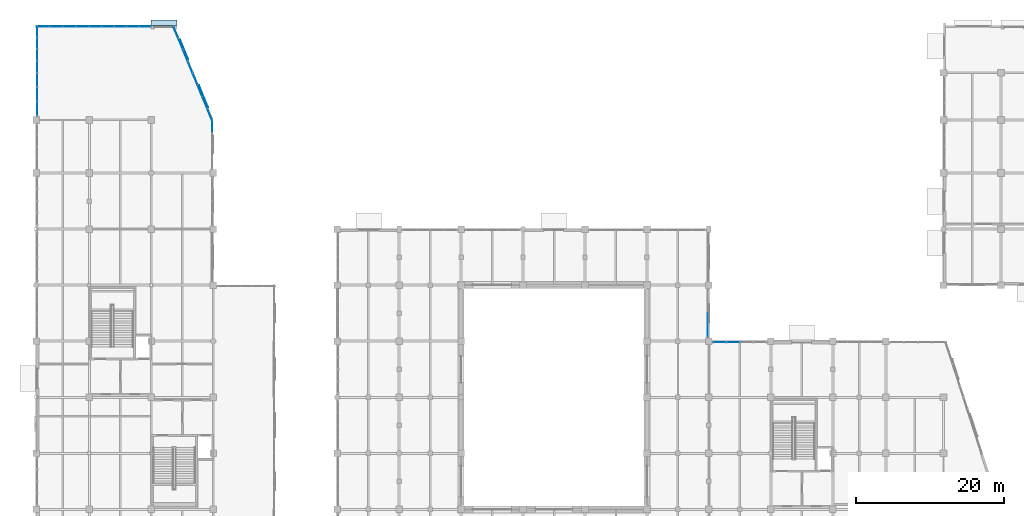
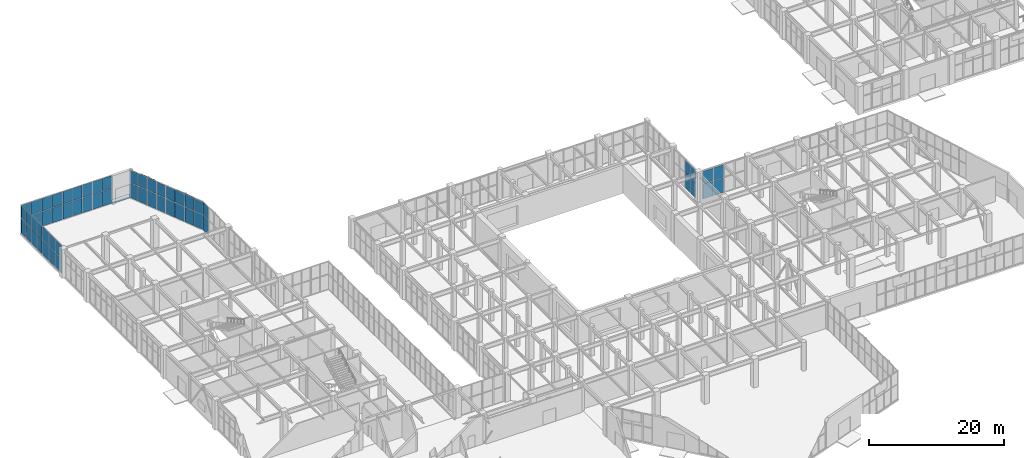
# One storey, part 108 of 139: 60 plates, 1 slab, 9 elements without a shape of their own.
"""IFC4 building model written with IfcOpenShell, lengths in metres."""

from ifc_helpers import new_model, si_unit, direction, frame, origin, origin_2d, place, context, subcontext, project, spatial, polyline, rectangle, outline, extrude, material, layer, layer_set, type_object, element, aggregate, save


model = new_model("IFC4")

# Units and contexts
model_context = context("Model", 3, precision=1e-05, world=origin(), true_north=direction((0.0, 1.0)))
body_context = subcontext(model_context, "Body", "Model", "MODEL_VIEW")
ifc_project = project(units=[si_unit("LENGTHUNIT", "METRE"), si_unit("AREAUNIT", "SQUARE_METRE"), si_unit("VOLUMEUNIT", "CUBIC_METRE"), si_unit("PLANEANGLEUNIT", "RADIAN"), si_unit("MASSUNIT", "GRAM", prefix="KILO")], contexts=[model_context])

# Site, building, storey
site_placement = place(None, origin())
site = spatial("IfcSite", under=ifc_project, at=site_placement, CompositionType="ELEMENT")
building_placement = place(site_placement, origin())
building = spatial("IfcBuilding", under=site, at=building_placement, Name="Xicomal Pleat Aquarium", CompositionType="ELEMENT")
storey_placement = place(building_placement, origin())
storey = spatial("IfcBuildingStorey", under=building, at=storey_placement, Name="L01", CompositionType="ELEMENT", Elevation=0.0)

# Curtain wall, plates
ifc_material_1 = material(Name="Bronze anodized aluminium 6063-T6", Category="aluminium")
ifc_layer_1 = layer(ifc_material_1, 0.159912109375)
ifc_layer_set_1 = layer_set([ifc_layer_1], Name="Bronze anodized aluminium 6063-T6")
curtain_wall_type_1 = type_object("IfcCurtainWallType", Name="CW-SYS-06", PredefinedType="NOTDEFINED", material=ifc_layer_set_1)
curtain_wall_1_placement = place(storey_placement, origin())
curtain_wall_1 = element("IfcCurtainWall", 1, at=curtain_wall_1_placement, inside=storey, type_object=curtain_wall_type_1, Name="L01 unitised curtain wall CW-L01-016", PredefinedType="NOTDEFINED")
ifc_material_2 = material(Name="Insulated low-E laminated glass", Category="glass")
ifc_layer_2 = layer(ifc_material_2, 0.028076171875)
ifc_layer_set_2 = layer_set([ifc_layer_2], Name="Insulated low-E laminated glass")
plate_type_1 = type_object("IfcPlateType", Name="CWP-GLZ-28", PredefinedType="CURTAIN_PANEL", material=ifc_layer_set_2)
plate_1_placement = place(storey_placement, frame((11.05859375, 111.06005859375, 0.0751953125), z_axis=(0.0, 0.0, 1.0), x_axis=(1.0, 0.0, 0.0)))
plate_1 = element("IfcPlate", 2, at=plate_1_placement, type_object=plate_type_1, Name="CW-06 panel 1.1", PredefinedType="CURTAIN_PANEL", context=body_context, shape_type="SweptSolid", body=[
    extrude(rectangle(XDim=1.5673828125, YDim=0.028076171875, at=origin_2d()), origin(), (0.0, 0.0, 1.0), 2.673583984375),
])
plate_2_placement = place(storey_placement, frame((11.05859375, 111.06005859375, 2.82373046875), z_axis=(0.0, 0.0, 1.0), x_axis=(1.0, 0.0, 0.0)))
plate_2 = element("IfcPlate", 3, at=plate_2_placement, type_object=plate_type_1, Name="CW-06 panel 1.2", PredefinedType="CURTAIN_PANEL", context=body_context, shape_type="SweptSolid", body=[
    extrude(rectangle(XDim=1.5673828125, YDim=0.028076171875, at=origin_2d()), origin(), (0.0, 0.0, 1.0), 2.261474609375),
])
plate_3_placement = place(storey_placement, frame((12.719970703125, 111.06005859375, 0.0751953125), z_axis=(0.0, 0.0, 1.0), x_axis=(1.0, 0.0, 0.0)))
plate_3 = element("IfcPlate", 4, at=plate_3_placement, type_object=plate_type_1, Name="CW-06 panel 2.1", PredefinedType="CURTAIN_PANEL", context=body_context, shape_type="SweptSolid", body=[
    extrude(rectangle(XDim=1.60498046875, YDim=0.028076171875, at=origin_2d()), origin(), (0.0, 0.0, 1.0), 2.673583984375),
])
plate_4_placement = place(storey_placement, frame((12.719970703125, 111.06005859375, 2.82373046875), z_axis=(0.0, 0.0, 1.0), x_axis=(1.0, 0.0, 0.0)))
plate_4 = element("IfcPlate", 5, at=plate_4_placement, type_object=plate_type_1, Name="CW-06 panel 2.2", PredefinedType="CURTAIN_PANEL", context=body_context, shape_type="SweptSolid", body=[
    extrude(rectangle(XDim=1.60498046875, YDim=0.028076171875, at=origin_2d()), origin(), (0.0, 0.0, 1.0), 2.261474609375),
])
plate_5_placement = place(storey_placement, frame((14.39990234375, 111.06005859375, 0.0751953125), z_axis=(0.0, 0.0, 1.0), x_axis=(1.0, 0.0, 0.0)))
plate_5 = element("IfcPlate", 6, at=plate_5_placement, type_object=plate_type_1, Name="CW-06 panel 3.1", PredefinedType="CURTAIN_PANEL", context=body_context, shape_type="SweptSolid", body=[
    extrude(rectangle(XDim=1.60498046875, YDim=0.028076171875, at=origin_2d()), origin(), (0.0, 0.0, 1.0), 2.673583984375),
])
plate_6_placement = place(storey_placement, frame((14.39990234375, 111.06005859375, 2.82373046875), z_axis=(0.0, 0.0, 1.0), x_axis=(1.0, 0.0, 0.0)))
plate_6 = element("IfcPlate", 7, at=plate_6_placement, type_object=plate_type_1, Name="CW-06 panel 3.2", PredefinedType="CURTAIN_PANEL", context=body_context, shape_type="SweptSolid", body=[
    extrude(rectangle(XDim=1.60498046875, YDim=0.028076171875, at=origin_2d()), origin(), (0.0, 0.0, 1.0), 2.261474609375),
])
plate_7_placement = place(storey_placement, frame((16.080078125, 111.06005859375, 0.0751953125), z_axis=(0.0, 0.0, 1.0), x_axis=(1.0, 0.0, 0.0)))
plate_7 = element("IfcPlate", 8, at=plate_7_placement, type_object=plate_type_1, Name="CW-06 panel 4.1", PredefinedType="CURTAIN_PANEL", context=body_context, shape_type="SweptSolid", body=[
    extrude(rectangle(XDim=1.60498046875, YDim=0.028076171875, at=origin_2d()), origin(), (0.0, 0.0, 1.0), 2.673583984375),
])
plate_8_placement = place(storey_placement, frame((16.080078125, 111.06005859375, 2.82373046875), z_axis=(0.0, 0.0, 1.0), x_axis=(1.0, 0.0, 0.0)))
plate_8 = element("IfcPlate", 9, at=plate_8_placement, type_object=plate_type_1, Name="CW-06 panel 4.2", PredefinedType="CURTAIN_PANEL", context=body_context, shape_type="SweptSolid", body=[
    extrude(rectangle(XDim=1.60498046875, YDim=0.028076171875, at=origin_2d()), origin(), (0.0, 0.0, 1.0), 2.261474609375),
])
plate_9_placement = place(storey_placement, frame((17.7412109375, 111.06005859375, 0.0751953125), z_axis=(0.0, 0.0, 1.0), x_axis=(1.0, 0.0, 0.0)))
plate_9 = element("IfcPlate", 10, at=plate_9_placement, type_object=plate_type_1, Name="CW-06 panel 5.1", PredefinedType="CURTAIN_PANEL", context=body_context, shape_type="SweptSolid", body=[
    extrude(rectangle(XDim=1.5673828125, YDim=0.028076171875, at=origin_2d()), origin(), (0.0, 0.0, 1.0), 2.673583984375),
])
plate_10_placement = place(storey_placement, frame((17.7412109375, 111.06005859375, 2.82373046875), z_axis=(0.0, 0.0, 1.0), x_axis=(1.0, 0.0, 0.0)))
plate_10 = element("IfcPlate", 11, at=plate_10_placement, type_object=plate_type_1, Name="CW-06 panel 5.2", PredefinedType="CURTAIN_PANEL", context=body_context, shape_type="SweptSolid", body=[
    extrude(rectangle(XDim=1.5673828125, YDim=0.028076171875, at=origin_2d()), origin(), (0.0, 0.0, 1.0), 2.261474609375),
])
aggregate(curtain_wall_1, [plate_1, plate_2, plate_3, plate_4, plate_5, plate_6, plate_7, plate_8, plate_9, plate_10])

curtain_wall_2_placement = place(storey_placement, origin())
curtain_wall_2 = element("IfcCurtainWall", 12, at=curtain_wall_2_placement, inside=storey, type_object=curtain_wall_type_1, Name="L01 unitised curtain wall CW-L01-040", PredefinedType="NOTDEFINED")
plate_11_placement = place(storey_placement, frame((94.06005859375, 71.3798828125, 0.074951171875), z_axis=(0.0, 0.0, 1.0), x_axis=(0.0, -1.0, 0.0)))
plate_11 = element("IfcPlate", 13, at=plate_11_placement, type_object=plate_type_1, Name="CW-06 panel 3.1", PredefinedType="CURTAIN_PANEL", context=body_context, shape_type="SweptSolid", body=[
    extrude(rectangle(XDim=1.56494140625, YDim=0.028076171875, at=origin_2d()), origin(), (0.0, 0.0, 1.0), 2.6416015625),
])
plate_12_placement = place(storey_placement, frame((94.06005859375, 71.3798828125, 2.79150390625), z_axis=(0.0, 0.0, 1.0), x_axis=(0.0, -1.0, 0.0)))
plate_12 = element("IfcPlate", 14, at=plate_12_placement, type_object=plate_type_1, Name="CW-06 panel 3.2", PredefinedType="CURTAIN_PANEL", context=body_context, shape_type="SweptSolid", body=[
    extrude(rectangle(XDim=1.56494140625, YDim=0.028076171875, at=origin_2d()), origin(), (0.0, 0.0, 1.0), 2.2333984375),
])
plate_13_placement = place(storey_placement, frame((94.06005859375, 69.7587890625, 0.074951171875), z_axis=(0.0, 0.0, 1.0), x_axis=(0.0, -1.0, 0.0)))
plate_13 = element("IfcPlate", 15, at=plate_13_placement, type_object=plate_type_1, Name="CW-06 panel 4.1", PredefinedType="CURTAIN_PANEL", context=body_context, shape_type="SweptSolid", body=[
    extrude(rectangle(XDim=1.527587890625, YDim=0.028076171875, at=origin_2d()), origin(), (0.0, 0.0, 1.0), 2.6416015625),
])
plate_14_placement = place(storey_placement, frame((94.06005859375, 69.7587890625, 2.79150390625), z_axis=(0.0, 0.0, 1.0), x_axis=(0.0, -1.0, 0.0)))
plate_14 = element("IfcPlate", 16, at=plate_14_placement, type_object=plate_type_1, Name="CW-06 panel 4.2", PredefinedType="CURTAIN_PANEL", context=body_context, shape_type="SweptSolid", body=[
    extrude(rectangle(XDim=1.527587890625, YDim=0.028076171875, at=origin_2d()), origin(), (0.0, 0.0, 1.0), 2.2333984375),
])
aggregate(curtain_wall_2, [plate_11, plate_12, plate_13, plate_14])

curtain_wall_3_placement = place(storey_placement, origin())
curtain_wall_3 = element("IfcCurtainWall", 17, at=curtain_wall_3_placement, inside=storey, type_object=curtain_wall_type_1, Name="L01 unitised curtain wall CW-L01-013", PredefinedType="NOTDEFINED")
ifc_material_3 = material(Name="Insulated low-E laminated glass", Category="glass")
ifc_layer_3 = layer(ifc_material_3, 0.031982421875)
ifc_layer_set_3 = layer_set([ifc_layer_3], Name="Insulated low-E laminated glass")
plate_type_2 = type_object("IfcPlateType", Name="CWP-GLZ-32", PredefinedType="CURTAIN_PANEL", material=ifc_layer_set_3)
plate_15_placement = place(storey_placement, frame((3.139892578125, 99.918701171875, 0.0751953125), z_axis=(0.0, 0.0, 1.0), x_axis=(0.0, 1.0, 0.0)))
plate_15 = element("IfcPlate", 18, at=plate_15_placement, type_object=plate_type_2, Name="CW-06 panel 1.1", PredefinedType="CURTAIN_PANEL", context=body_context, shape_type="SweptSolid", body=[
    extrude(rectangle(XDim=1.847412109375, YDim=0.031982421875, at=origin_2d()), origin(), (0.0, 0.0, 1.0), 2.673583984375),
])
plate_16_placement = place(storey_placement, frame((3.139892578125, 99.918701171875, 2.82373046875), z_axis=(0.0, 0.0, 1.0), x_axis=(0.0, 1.0, 0.0)))
plate_16 = element("IfcPlate", 19, at=plate_16_placement, type_object=plate_type_2, Name="CW-06 panel 1.2", PredefinedType="CURTAIN_PANEL", context=body_context, shape_type="SweptSolid", body=[
    extrude(rectangle(XDim=1.847412109375, YDim=0.031982421875, at=origin_2d()), origin(), (0.0, 0.0, 1.0), 2.261474609375),
])
plate_17_placement = place(storey_placement, frame((3.139892578125, 101.860107421875, 0.0751953125), z_axis=(0.0, 0.0, 1.0), x_axis=(0.0, 1.0, 0.0)))
plate_17 = element("IfcPlate", 20, at=plate_17_placement, type_object=plate_type_2, Name="CW-06 panel 2.1", PredefinedType="CURTAIN_PANEL", context=body_context, shape_type="SweptSolid", body=[
    extrude(rectangle(XDim=1.885009765625, YDim=0.031982421875, at=origin_2d()), origin(), (0.0, 0.0, 1.0), 2.673583984375),
])
plate_18_placement = place(storey_placement, frame((3.139892578125, 101.860107421875, 2.82373046875), z_axis=(0.0, 0.0, 1.0), x_axis=(0.0, 1.0, 0.0)))
plate_18 = element("IfcPlate", 21, at=plate_18_placement, type_object=plate_type_2, Name="CW-06 panel 2.2", PredefinedType="CURTAIN_PANEL", context=body_context, shape_type="SweptSolid", body=[
    extrude(rectangle(XDim=1.885009765625, YDim=0.031982421875, at=origin_2d()), origin(), (0.0, 0.0, 1.0), 2.261474609375),
])
plate_19_placement = place(storey_placement, frame((3.139892578125, 103.80126953125, 0.0751953125), z_axis=(0.0, 0.0, 1.0), x_axis=(0.0, 1.0, 0.0)))
plate_19 = element("IfcPlate", 22, at=plate_19_placement, type_object=plate_type_2, Name="CW-06 panel 3.1", PredefinedType="CURTAIN_PANEL", context=body_context, shape_type="SweptSolid", body=[
    extrude(rectangle(XDim=1.847412109375, YDim=0.031982421875, at=origin_2d()), origin(), (0.0, 0.0, 1.0), 2.673583984375),
])
plate_20_placement = place(storey_placement, frame((3.139892578125, 103.80126953125, 2.82373046875), z_axis=(0.0, 0.0, 1.0), x_axis=(0.0, 1.0, 0.0)))
plate_20 = element("IfcPlate", 23, at=plate_20_placement, type_object=plate_type_2, Name="CW-06 panel 3.2", PredefinedType="CURTAIN_PANEL", context=body_context, shape_type="SweptSolid", body=[
    extrude(rectangle(XDim=1.847412109375, YDim=0.031982421875, at=origin_2d()), origin(), (0.0, 0.0, 1.0), 2.261474609375),
])
aggregate(curtain_wall_3, [plate_15, plate_16, plate_17, plate_18, plate_19, plate_20])

ifc_material_4 = material(Name="Bronze anodized aluminium 6063-T6", Category="aluminium")
ifc_layer_4 = layer(ifc_material_4, 0.159912109375)
ifc_layer_set_4 = layer_set([ifc_layer_4], Name="Bronze anodized aluminium 6063-T6")
curtain_wall_type_2 = type_object("IfcCurtainWallType", Name="CW-SYS-11", PredefinedType="NOTDEFINED", material=ifc_layer_set_4)
curtain_wall_4_placement = place(storey_placement, origin())
curtain_wall_4 = element("IfcCurtainWall", 24, at=curtain_wall_4_placement, inside=storey, type_object=curtain_wall_type_2, Name="L01 unitised curtain wall CW-L01-017", PredefinedType="NOTDEFINED")
plate_21_placement = place(storey_placement, frame((21.910400390625, 110.326416015625, 0.0849609375), z_axis=(0.0, 0.0, 1.0), x_axis=(0.382564297978, -0.923928870591, 0.0)))
plate_21 = element("IfcPlate", 25, at=plate_21_placement, type_object=plate_type_2, Name="CW-11 panel 1.1", PredefinedType="CURTAIN_PANEL", context=body_context, shape_type="SweptSolid", body=[
    extrude(rectangle(XDim=1.604248046875, YDim=0.031982421875, at=origin_2d()), origin(), (0.0, 0.0, 1.0), 2.658447265625),
])
plate_22_placement = place(storey_placement, frame((21.910400390625, 110.326416015625, 2.828369140625), z_axis=(0.0, 0.0, 1.0), x_axis=(0.382564297978, -0.923928870591, 0.0)))
plate_22 = element("IfcPlate", 26, at=plate_22_placement, type_object=plate_type_2, Name="CW-11 panel 1.2", PredefinedType="CURTAIN_PANEL", context=body_context, shape_type="SweptSolid", body=[
    extrude(rectangle(XDim=1.604248046875, YDim=0.031982421875, at=origin_2d()), origin(), (0.0, 0.0, 1.0), 2.24658203125),
])
plate_23_placement = place(storey_placement, frame((22.564697265625, 108.74609375, 0.0849609375), z_axis=(0.0, 0.0, 1.0), x_axis=(0.382564297978, -0.923928870591, 0.0)))
plate_23 = element("IfcPlate", 27, at=plate_23_placement, type_object=plate_type_2, Name="CW-11 panel 2.1", PredefinedType="CURTAIN_PANEL", context=body_context, shape_type="SweptSolid", body=[
    extrude(rectangle(XDim=1.646728515625, YDim=0.031982421875, at=origin_2d()), origin(), (0.0, 0.0, 1.0), 2.658447265625),
])
plate_24_placement = place(storey_placement, frame((22.564697265625, 108.74609375, 2.828369140625), z_axis=(0.0, 0.0, 1.0), x_axis=(0.382564297978, -0.923928870591, 0.0)))
plate_24 = element("IfcPlate", 28, at=plate_24_placement, type_object=plate_type_2, Name="CW-11 panel 2.2", PredefinedType="CURTAIN_PANEL", context=body_context, shape_type="SweptSolid", body=[
    extrude(rectangle(XDim=1.646728515625, YDim=0.031982421875, at=origin_2d()), origin(), (0.0, 0.0, 1.0), 2.24658203125),
])
plate_25_placement = place(storey_placement, frame((23.227294921875, 107.14599609375, 0.0849609375), z_axis=(0.0, 0.0, 1.0), x_axis=(0.382564297978, -0.923928870591, 0.0)))
plate_25 = element("IfcPlate", 29, at=plate_25_placement, type_object=plate_type_2, Name="CW-11 panel 3.1", PredefinedType="CURTAIN_PANEL", context=body_context, shape_type="SweptSolid", body=[
    extrude(rectangle(XDim=1.646728515625, YDim=0.031982421875, at=origin_2d()), origin(), (0.0, 0.0, 1.0), 2.658447265625),
])
plate_26_placement = place(storey_placement, frame((23.227294921875, 107.14599609375, 2.828369140625), z_axis=(0.0, 0.0, 1.0), x_axis=(0.382564297978, -0.923928870591, 0.0)))
plate_26 = element("IfcPlate", 30, at=plate_26_placement, type_object=plate_type_2, Name="CW-11 panel 3.2", PredefinedType="CURTAIN_PANEL", context=body_context, shape_type="SweptSolid", body=[
    extrude(rectangle(XDim=1.646728515625, YDim=0.031982421875, at=origin_2d()), origin(), (0.0, 0.0, 1.0), 2.24658203125),
])
plate_27_placement = place(storey_placement, frame((23.881591796875, 105.565673828125, 0.0849609375), z_axis=(0.0, 0.0, 1.0), x_axis=(0.382564297978, -0.923928870591, 0.0)))
plate_27 = element("IfcPlate", 31, at=plate_27_placement, type_object=plate_type_2, Name="CW-11 panel 4.1", PredefinedType="CURTAIN_PANEL", context=body_context, shape_type="SweptSolid", body=[
    extrude(rectangle(XDim=1.604248046875, YDim=0.031982421875, at=origin_2d()), origin(), (0.0, 0.0, 1.0), 2.658447265625),
])
plate_28_placement = place(storey_placement, frame((23.881591796875, 105.565673828125, 2.828369140625), z_axis=(0.0, 0.0, 1.0), x_axis=(0.382564297978, -0.923928870591, 0.0)))
plate_28 = element("IfcPlate", 32, at=plate_28_placement, type_object=plate_type_2, Name="CW-11 panel 4.2", PredefinedType="CURTAIN_PANEL", context=body_context, shape_type="SweptSolid", body=[
    extrude(rectangle(XDim=1.604248046875, YDim=0.031982421875, at=origin_2d()), origin(), (0.0, 0.0, 1.0), 2.24658203125),
])
aggregate(curtain_wall_4, [plate_21, plate_22, plate_23, plate_24, plate_25, plate_26, plate_27, plate_28])

curtain_wall_5_placement = place(storey_placement, origin())
curtain_wall_5 = element("IfcCurtainWall", 33, at=curtain_wall_5_placement, inside=storey, type_object=curtain_wall_type_2, Name="L01 unitised curtain wall CW-L01-041", PredefinedType="NOTDEFINED")
plate_29_placement = place(storey_placement, frame((95.6611328125, 68.260009765625, 0.0849609375), z_axis=(0.0, 0.0, 1.0), x_axis=(1.0, 0.0, 0.0)))
plate_29 = element("IfcPlate", 34, at=plate_29_placement, type_object=plate_type_2, Name="CW-11 panel 1.1", PredefinedType="CURTAIN_PANEL", context=body_context, shape_type="SweptSolid", body=[
    extrude(rectangle(XDim=1.71240234375, YDim=0.031982421875, at=origin_2d()), origin(), (0.0, 0.0, 1.0), 2.658447265625),
])
plate_30_placement = place(storey_placement, frame((95.6611328125, 68.260009765625, 2.828369140625), z_axis=(0.0, 0.0, 1.0), x_axis=(1.0, 0.0, 0.0)))
plate_30 = element("IfcPlate", 35, at=plate_30_placement, type_object=plate_type_2, Name="CW-11 panel 1.2", PredefinedType="CURTAIN_PANEL", context=body_context, shape_type="SweptSolid", body=[
    extrude(rectangle(XDim=1.71240234375, YDim=0.031982421875, at=origin_2d()), origin(), (0.0, 0.0, 1.0), 2.24658203125),
])
plate_31_placement = place(storey_placement, frame((97.47998046875, 68.260009765625, 0.0849609375), z_axis=(0.0, 0.0, 1.0), x_axis=(1.0, 0.0, 0.0)))
plate_31 = element("IfcPlate", 36, at=plate_31_placement, type_object=plate_type_2, Name="CW-11 panel 2.1", PredefinedType="CURTAIN_PANEL", context=body_context, shape_type="SweptSolid", body=[
    extrude(rectangle(XDim=1.7548828125, YDim=0.031982421875, at=origin_2d()), origin(), (0.0, 0.0, 1.0), 2.658447265625),
])
plate_32_placement = place(storey_placement, frame((97.47998046875, 68.260009765625, 2.828369140625), z_axis=(0.0, 0.0, 1.0), x_axis=(1.0, 0.0, 0.0)))
plate_32 = element("IfcPlate", 37, at=plate_32_placement, type_object=plate_type_2, Name="CW-11 panel 2.2", PredefinedType="CURTAIN_PANEL", context=body_context, shape_type="SweptSolid", body=[
    extrude(rectangle(XDim=1.7548828125, YDim=0.031982421875, at=origin_2d()), origin(), (0.0, 0.0, 1.0), 2.24658203125),
])
aggregate(curtain_wall_5, [plate_29, plate_30, plate_31, plate_32])

curtain_wall_6_placement = place(storey_placement, origin())
curtain_wall_6 = element("IfcCurtainWall", 38, at=curtain_wall_6_placement, inside=storey, type_object=curtain_wall_type_2, Name="L01 unitised curtain wall CW-L01-014", PredefinedType="NOTDEFINED")
ifc_material_5 = material(Name="Insulated low-E laminated glass", Category="glass")
ifc_layer_5 = layer(ifc_material_5, 0.035888671875)
ifc_layer_set_5 = layer_set([ifc_layer_5], Name="Insulated low-E laminated glass")
plate_type_3 = type_object("IfcPlateType", Name="CWP-GLZ-36", PredefinedType="CURTAIN_PANEL", material=ifc_layer_set_5)
plate_33_placement = place(storey_placement, frame((3.139892578125, 105.621337890625, 0.0849609375), z_axis=(0.0, 0.0, 1.0), x_axis=(0.0, 1.0, 0.0)))
plate_33 = element("IfcPlate", 39, at=plate_33_placement, type_object=plate_type_3, Name="CW-11 panel 1.1", PredefinedType="CURTAIN_PANEL", context=body_context, shape_type="SweptSolid", body=[
    extrude(rectangle(XDim=1.472412109375, YDim=0.035888671875, at=origin_2d()), origin(), (0.0, 0.0, 1.0), 2.658447265625),
])
plate_34_placement = place(storey_placement, frame((3.139892578125, 105.621337890625, 2.828369140625), z_axis=(0.0, 0.0, 1.0), x_axis=(0.0, 1.0, 0.0)))
plate_34 = element("IfcPlate", 40, at=plate_34_placement, type_object=plate_type_3, Name="CW-11 panel 1.2", PredefinedType="CURTAIN_PANEL", context=body_context, shape_type="SweptSolid", body=[
    extrude(rectangle(XDim=1.472412109375, YDim=0.035888671875, at=origin_2d()), origin(), (0.0, 0.0, 1.0), 2.24658203125),
])
plate_35_placement = place(storey_placement, frame((3.139892578125, 107.199951171875, 0.0849609375), z_axis=(0.0, 0.0, 1.0), x_axis=(0.0, 1.0, 0.0)))
plate_35 = element("IfcPlate", 41, at=plate_35_placement, type_object=plate_type_3, Name="CW-11 panel 2.1", PredefinedType="CURTAIN_PANEL", context=body_context, shape_type="SweptSolid", body=[
    extrude(rectangle(XDim=1.514892578125, YDim=0.035888671875, at=origin_2d()), origin(), (0.0, 0.0, 1.0), 2.658447265625),
])
plate_36_placement = place(storey_placement, frame((3.139892578125, 107.199951171875, 2.828369140625), z_axis=(0.0, 0.0, 1.0), x_axis=(0.0, 1.0, 0.0)))
plate_36 = element("IfcPlate", 42, at=plate_36_placement, type_object=plate_type_3, Name="CW-11 panel 2.2", PredefinedType="CURTAIN_PANEL", context=body_context, shape_type="SweptSolid", body=[
    extrude(rectangle(XDim=1.514892578125, YDim=0.035888671875, at=origin_2d()), origin(), (0.0, 0.0, 1.0), 2.24658203125),
])
plate_37_placement = place(storey_placement, frame((3.139892578125, 108.800048828125, 0.0849609375), z_axis=(0.0, 0.0, 1.0), x_axis=(0.0, 1.0, 0.0)))
plate_37 = element("IfcPlate", 43, at=plate_37_placement, type_object=plate_type_3, Name="CW-11 panel 3.1", PredefinedType="CURTAIN_PANEL", context=body_context, shape_type="SweptSolid", body=[
    extrude(rectangle(XDim=1.514892578125, YDim=0.035888671875, at=origin_2d()), origin(), (0.0, 0.0, 1.0), 2.658447265625),
])
plate_38_placement = place(storey_placement, frame((3.139892578125, 108.800048828125, 2.828369140625), z_axis=(0.0, 0.0, 1.0), x_axis=(0.0, 1.0, 0.0)))
plate_38 = element("IfcPlate", 44, at=plate_38_placement, type_object=plate_type_3, Name="CW-11 panel 3.2", PredefinedType="CURTAIN_PANEL", context=body_context, shape_type="SweptSolid", body=[
    extrude(rectangle(XDim=1.514892578125, YDim=0.035888671875, at=origin_2d()), origin(), (0.0, 0.0, 1.0), 2.24658203125),
])
plate_39_placement = place(storey_placement, frame((3.139892578125, 110.378662109375, 0.0849609375), z_axis=(0.0, 0.0, 1.0), x_axis=(0.0, 1.0, 0.0)))
plate_39 = element("IfcPlate", 45, at=plate_39_placement, type_object=plate_type_3, Name="CW-11 panel 4.1", PredefinedType="CURTAIN_PANEL", context=body_context, shape_type="SweptSolid", body=[
    extrude(rectangle(XDim=1.472412109375, YDim=0.035888671875, at=origin_2d()), origin(), (0.0, 0.0, 1.0), 2.658447265625),
])
plate_40_placement = place(storey_placement, frame((3.139892578125, 110.378662109375, 2.828369140625), z_axis=(0.0, 0.0, 1.0), x_axis=(0.0, 1.0, 0.0)))
plate_40 = element("IfcPlate", 46, at=plate_40_placement, type_object=plate_type_3, Name="CW-11 panel 4.2", PredefinedType="CURTAIN_PANEL", context=body_context, shape_type="SweptSolid", body=[
    extrude(rectangle(XDim=1.472412109375, YDim=0.035888671875, at=origin_2d()), origin(), (0.0, 0.0, 1.0), 2.24658203125),
])
aggregate(curtain_wall_6, [plate_33, plate_34, plate_35, plate_36, plate_37, plate_38, plate_39, plate_40])

ifc_material_6 = material(Name="Bronze anodized aluminium 6063-T6", Category="aluminium")
ifc_layer_6 = layer(ifc_material_6, 0.159912109375)
ifc_layer_set_6 = layer_set([ifc_layer_6], Name="Bronze anodized aluminium 6063-T6")
curtain_wall_type_3 = type_object("IfcCurtainWallType", Name="CW-SYS-01", PredefinedType="NOTDEFINED", material=ifc_layer_set_6)
curtain_wall_7_placement = place(storey_placement, origin())
curtain_wall_7 = element("IfcCurtainWall", 47, at=curtain_wall_7_placement, inside=storey, type_object=curtain_wall_type_3, Name="L01 unitised curtain wall CW-L01-018", PredefinedType="NOTDEFINED")
plate_41_placement = place(storey_placement, frame((24.55859375, 103.930908203125, 0.06494140625), z_axis=(0.0, 0.0, 1.0), x_axis=(0.382564297978, -0.923928870591, 0.0)))
plate_41 = element("IfcPlate", 48, at=plate_41_placement, type_object=plate_type_3, Name="CW-01 panel 1.1", PredefinedType="CURTAIN_PANEL", context=body_context, shape_type="SweptSolid", body=[
    extrude(rectangle(XDim=1.63427734375, YDim=0.035888671875, at=origin_2d()), origin(), (0.0, 0.0, 1.0), 2.6884765625),
])
plate_42_placement = place(storey_placement, frame((24.55859375, 103.930908203125, 2.818359375), z_axis=(0.0, 0.0, 1.0), x_axis=(0.382564297978, -0.923928870591, 0.0)))
plate_42 = element("IfcPlate", 49, at=plate_42_placement, type_object=plate_type_3, Name="CW-01 panel 1.2", PredefinedType="CURTAIN_PANEL", context=body_context, shape_type="SweptSolid", body=[
    extrude(rectangle(XDim=1.63427734375, YDim=0.035888671875, at=origin_2d()), origin(), (0.0, 0.0, 1.0), 2.276611328125),
])
plate_43_placement = place(storey_placement, frame((25.214599609375, 102.345947265625, 0.06494140625), z_axis=(0.0, 0.0, 1.0), x_axis=(0.382564297978, -0.923928870591, 0.0)))
plate_43 = element("IfcPlate", 50, at=plate_43_placement, type_object=plate_type_3, Name="CW-01 panel 2.1", PredefinedType="CURTAIN_PANEL", context=body_context, shape_type="SweptSolid", body=[
    extrude(rectangle(XDim=1.666748046875, YDim=0.035888671875, at=origin_2d()), origin(), (0.0, 0.0, 1.0), 2.6884765625),
])
plate_44_placement = place(storey_placement, frame((25.214599609375, 102.345947265625, 2.818359375), z_axis=(0.0, 0.0, 1.0), x_axis=(0.382564297978, -0.923928870591, 0.0)))
plate_44 = element("IfcPlate", 51, at=plate_44_placement, type_object=plate_type_3, Name="CW-01 panel 2.2", PredefinedType="CURTAIN_PANEL", context=body_context, shape_type="SweptSolid", body=[
    extrude(rectangle(XDim=1.666748046875, YDim=0.035888671875, at=origin_2d()), origin(), (0.0, 0.0, 1.0), 2.276611328125),
])
plate_45_placement = place(storey_placement, frame((25.877197265625, 100.74609375, 0.06494140625), z_axis=(0.0, 0.0, 1.0), x_axis=(0.382564297978, -0.923928870591, 0.0)))
plate_45 = element("IfcPlate", 52, at=plate_45_placement, type_object=plate_type_3, Name="CW-01 panel 3.1", PredefinedType="CURTAIN_PANEL", context=body_context, shape_type="SweptSolid", body=[
    extrude(rectangle(XDim=1.666748046875, YDim=0.035888671875, at=origin_2d()), origin(), (0.0, 0.0, 1.0), 2.6884765625),
])
plate_46_placement = place(storey_placement, frame((25.877197265625, 100.74609375, 2.818359375), z_axis=(0.0, 0.0, 1.0), x_axis=(0.382564297978, -0.923928870591, 0.0)))
plate_46 = element("IfcPlate", 53, at=plate_46_placement, type_object=plate_type_3, Name="CW-01 panel 3.2", PredefinedType="CURTAIN_PANEL", context=body_context, shape_type="SweptSolid", body=[
    extrude(rectangle(XDim=1.666748046875, YDim=0.035888671875, at=origin_2d()), origin(), (0.0, 0.0, 1.0), 2.276611328125),
])
plate_47_placement = place(storey_placement, frame((26.533447265625, 99.160888671875, 0.06494140625), z_axis=(0.0, 0.0, 1.0), x_axis=(0.382564297978, -0.923928870591, 0.0)))
plate_47 = element("IfcPlate", 54, at=plate_47_placement, type_object=plate_type_3, Name="CW-01 panel 4.1", PredefinedType="CURTAIN_PANEL", context=body_context, shape_type="SweptSolid", body=[
    extrude(rectangle(XDim=1.63427734375, YDim=0.035888671875, at=origin_2d()), origin(), (0.0, 0.0, 1.0), 2.6884765625),
])
plate_48_placement = place(storey_placement, frame((26.533447265625, 99.160888671875, 2.818359375), z_axis=(0.0, 0.0, 1.0), x_axis=(0.382564297978, -0.923928870591, 0.0)))
plate_48 = element("IfcPlate", 55, at=plate_48_placement, type_object=plate_type_3, Name="CW-01 panel 4.2", PredefinedType="CURTAIN_PANEL", context=body_context, shape_type="SweptSolid", body=[
    extrude(rectangle(XDim=1.63427734375, YDim=0.035888671875, at=origin_2d()), origin(), (0.0, 0.0, 1.0), 2.276611328125),
])
aggregate(curtain_wall_7, [plate_41, plate_42, plate_43, plate_44, plate_45, plate_46, plate_47, plate_48])

curtain_wall_8_placement = place(storey_placement, origin())
curtain_wall_8 = element("IfcCurtainWall", 56, at=curtain_wall_8_placement, inside=storey, type_object=curtain_wall_type_3, Name="L01 unitised curtain wall CW-L01-015", PredefinedType="NOTDEFINED")
ifc_material_7 = material(Name="Insulated low-E laminated glass", Category="glass")
ifc_layer_7 = layer(ifc_material_7, 0.0419921875)
ifc_layer_set_7 = layer_set([ifc_layer_7], Name="Insulated low-E laminated glass")
plate_type_4 = type_object("IfcPlateType", Name="CWP-GLZ-42", PredefinedType="CURTAIN_PANEL", material=ifc_layer_set_7)
plate_49_placement = place(storey_placement, frame((3.916259765625, 111.06005859375, 0.06494140625), z_axis=(0.0, 0.0, 1.0), x_axis=(1.0, 0.0, 0.0)))
plate_49 = element("IfcPlate", 57, at=plate_49_placement, type_object=plate_type_4, Name="CW-01 panel 1.1", PredefinedType="CURTAIN_PANEL", context=body_context, shape_type="SweptSolid", body=[
    extrude(rectangle(XDim=1.702392578125, YDim=0.0419921875, at=origin_2d()), origin(), (0.0, 0.0, 1.0), 2.6884765625),
])
plate_50_placement = place(storey_placement, frame((3.916259765625, 111.06005859375, 2.818359375), z_axis=(0.0, 0.0, 1.0), x_axis=(1.0, 0.0, 0.0)))
plate_50 = element("IfcPlate", 58, at=plate_50_placement, type_object=plate_type_4, Name="CW-01 panel 1.2", PredefinedType="CURTAIN_PANEL", context=body_context, shape_type="SweptSolid", body=[
    extrude(rectangle(XDim=1.702392578125, YDim=0.0419921875, at=origin_2d()), origin(), (0.0, 0.0, 1.0), 2.276611328125),
])
plate_51_placement = place(storey_placement, frame((5.699951171875, 111.06005859375, 0.06494140625), z_axis=(0.0, 0.0, 1.0), x_axis=(1.0, 0.0, 0.0)))
plate_51 = element("IfcPlate", 59, at=plate_51_placement, type_object=plate_type_4, Name="CW-01 panel 2.1", PredefinedType="CURTAIN_PANEL", context=body_context, shape_type="SweptSolid", body=[
    extrude(rectangle(XDim=1.735107421875, YDim=0.0419921875, at=origin_2d()), origin(), (0.0, 0.0, 1.0), 2.6884765625),
])
plate_52_placement = place(storey_placement, frame((5.699951171875, 111.06005859375, 2.818359375), z_axis=(0.0, 0.0, 1.0), x_axis=(1.0, 0.0, 0.0)))
plate_52 = element("IfcPlate", 60, at=plate_52_placement, type_object=plate_type_4, Name="CW-01 panel 2.2", PredefinedType="CURTAIN_PANEL", context=body_context, shape_type="SweptSolid", body=[
    extrude(rectangle(XDim=1.735107421875, YDim=0.0419921875, at=origin_2d()), origin(), (0.0, 0.0, 1.0), 2.276611328125),
])
plate_53_placement = place(storey_placement, frame((7.5, 111.06005859375, 0.06494140625), z_axis=(0.0, 0.0, 1.0), x_axis=(1.0, 0.0, 0.0)))
plate_53 = element("IfcPlate", 61, at=plate_53_placement, type_object=plate_type_4, Name="CW-01 panel 3.1", PredefinedType="CURTAIN_PANEL", context=body_context, shape_type="SweptSolid", body=[
    extrude(rectangle(XDim=1.735107421875, YDim=0.0419921875, at=origin_2d()), origin(), (0.0, 0.0, 1.0), 2.6884765625),
])
plate_54_placement = place(storey_placement, frame((7.5, 111.06005859375, 2.818359375), z_axis=(0.0, 0.0, 1.0), x_axis=(1.0, 0.0, 0.0)))
plate_54 = element("IfcPlate", 62, at=plate_54_placement, type_object=plate_type_4, Name="CW-01 panel 3.2", PredefinedType="CURTAIN_PANEL", context=body_context, shape_type="SweptSolid", body=[
    extrude(rectangle(XDim=1.735107421875, YDim=0.0419921875, at=origin_2d()), origin(), (0.0, 0.0, 1.0), 2.276611328125),
])
plate_55_placement = place(storey_placement, frame((9.28369140625, 111.06005859375, 0.06494140625), z_axis=(0.0, 0.0, 1.0), x_axis=(1.0, 0.0, 0.0)))
plate_55 = element("IfcPlate", 63, at=plate_55_placement, type_object=plate_type_4, Name="CW-01 panel 4.1", PredefinedType="CURTAIN_PANEL", context=body_context, shape_type="SweptSolid", body=[
    extrude(rectangle(XDim=1.702392578125, YDim=0.0419921875, at=origin_2d()), origin(), (0.0, 0.0, 1.0), 2.6884765625),
])
plate_56_placement = place(storey_placement, frame((9.28369140625, 111.06005859375, 2.818359375), z_axis=(0.0, 0.0, 1.0), x_axis=(1.0, 0.0, 0.0)))
plate_56 = element("IfcPlate", 64, at=plate_56_placement, type_object=plate_type_4, Name="CW-01 panel 4.2", PredefinedType="CURTAIN_PANEL", context=body_context, shape_type="SweptSolid", body=[
    extrude(rectangle(XDim=1.702392578125, YDim=0.0419921875, at=origin_2d()), origin(), (0.0, 0.0, 1.0), 2.276611328125),
])
aggregate(curtain_wall_8, [plate_49, plate_50, plate_51, plate_52, plate_53, plate_54, plate_55, plate_56])

curtain_wall_9_placement = place(storey_placement, origin())
curtain_wall_9 = element("IfcCurtainWall", 65, at=curtain_wall_9_placement, inside=storey, type_object=curtain_wall_type_1, Name="L01 unitised curtain wall CW-L01-019", PredefinedType="NOTDEFINED")
plate_57_placement = place(storey_placement, frame((26.860107421875, 97.54638671875, 0.0751953125), z_axis=(0.0, 0.0, 1.0), x_axis=(0.0, -1.0, 0.0)))
plate_57 = element("IfcPlate", 66, at=plate_57_placement, type_object=plate_type_4, Name="CW-06 panel 1.1", PredefinedType="CURTAIN_PANEL", context=body_context, shape_type="SweptSolid", body=[
    extrude(rectangle(XDim=1.5576171875, YDim=0.0419921875, at=origin_2d()), origin(), (0.0, 0.0, 1.0), 2.673583984375),
])
plate_58_placement = place(storey_placement, frame((26.860107421875, 97.54638671875, 2.82373046875), z_axis=(0.0, 0.0, 1.0), x_axis=(0.0, -1.0, 0.0)))
plate_58 = element("IfcPlate", 67, at=plate_58_placement, type_object=plate_type_4, Name="CW-06 panel 1.2", PredefinedType="CURTAIN_PANEL", context=body_context, shape_type="SweptSolid", body=[
    extrude(rectangle(XDim=1.5576171875, YDim=0.0419921875, at=origin_2d()), origin(), (0.0, 0.0, 1.0), 2.261474609375),
])
aggregate(curtain_wall_9, [plate_57, plate_58])

# Plates
ifc_material_8 = material(Name="Perforated bronze anodized aluminium", Category="aluminium")
ifc_layer_8 = layer(ifc_material_8, 0.02001953125)
ifc_layer_set_8 = layer_set([ifc_layer_8], Name="Perforated bronze anodized aluminium")
plate_type_5 = type_object("IfcPlateType", Name="PLT-SUN-20", PredefinedType="USERDEFINED", material=ifc_layer_set_8)
plate_59_placement = place(storey_placement, frame((23.0439453125, 108.007080078125, 3.43994140625), z_axis=(0.0, 0.0, 1.0), x_axis=(0.38252217914, -0.923946309298, 0.0)))
element("IfcPlate", 68, at=plate_59_placement, inside=storey, type_object=plate_type_5, Name="L01 perforated solar sunshade 7", ObjectType="SUNSHADE PANEL", PredefinedType="USERDEFINED", context=body_context, shape_type="SweptSolid", body=[
    extrude(rectangle(XDim=2.800048828125, YDim=0.02001953125, at=origin_2d()), origin(), (0.0, 0.0, 1.0), 1.679931640625),
])
ifc_material_9 = material(Name="Perforated bronze anodized aluminium", Category="aluminium")
ifc_layer_9 = layer(ifc_material_9, 0.02392578125)
ifc_layer_set_9 = layer_set([ifc_layer_9], Name="Perforated bronze anodized aluminium")
plate_type_6 = type_object("IfcPlateType", Name="PLT-SUN-24", PredefinedType="USERDEFINED", material=ifc_layer_set_9)
plate_60_placement = place(storey_placement, frame((25.694091796875, 101.60693359375, 3.52001953125), z_axis=(0.0, 0.0, 1.0), x_axis=(0.38252217914, -0.923946309298, 0.0)))
element("IfcPlate", 69, at=plate_60_placement, inside=storey, type_object=plate_type_6, Name="L01 perforated solar sunshade 8", ObjectType="SUNSHADE PANEL", PredefinedType="USERDEFINED", context=body_context, shape_type="SweptSolid", body=[
    extrude(rectangle(XDim=3.199951171875, YDim=0.02392578125, at=origin_2d()), origin(), (0.0, 0.0, 1.0), 1.60009765625),
])

# Slab
ifc_material_10 = material(Name="Concrete C40/50", Category="concrete")
ifc_layer_10 = layer(ifc_material_10, 0.18505859375)
ifc_layer_set_10 = layer_set([ifc_layer_10], Name="Concrete C40/50")
slab_type = type_object("IfcSlabType", Name="SLB-TER-185", PredefinedType="FLOOR", material=ifc_layer_set_10)
slab_placement = place(storey_placement, frame((0.0, 0.0, -0.18505859375)))
element("IfcSlab", 70, at=slab_placement, inside=storey, type_object=slab_type, Name="Exterior grade entrance apron SL-APR-EX-16", PredefinedType="FLOOR", context=body_context, shape_type="SweptSolid", body=[
    extrude(outline(polyline([(18.570068359375, 111.949951171875), (22.070068359375, 111.949951171875), (22.070068359375, 111.199951171875), (21.699951171875, 111.199951171875), (18.570068359375, 111.199951171875), (18.570068359375, 111.949951171875)])), origin(), (0.0, 0.0, 1.0), 0.18505859375),
])

save(model, "model.ifc")
